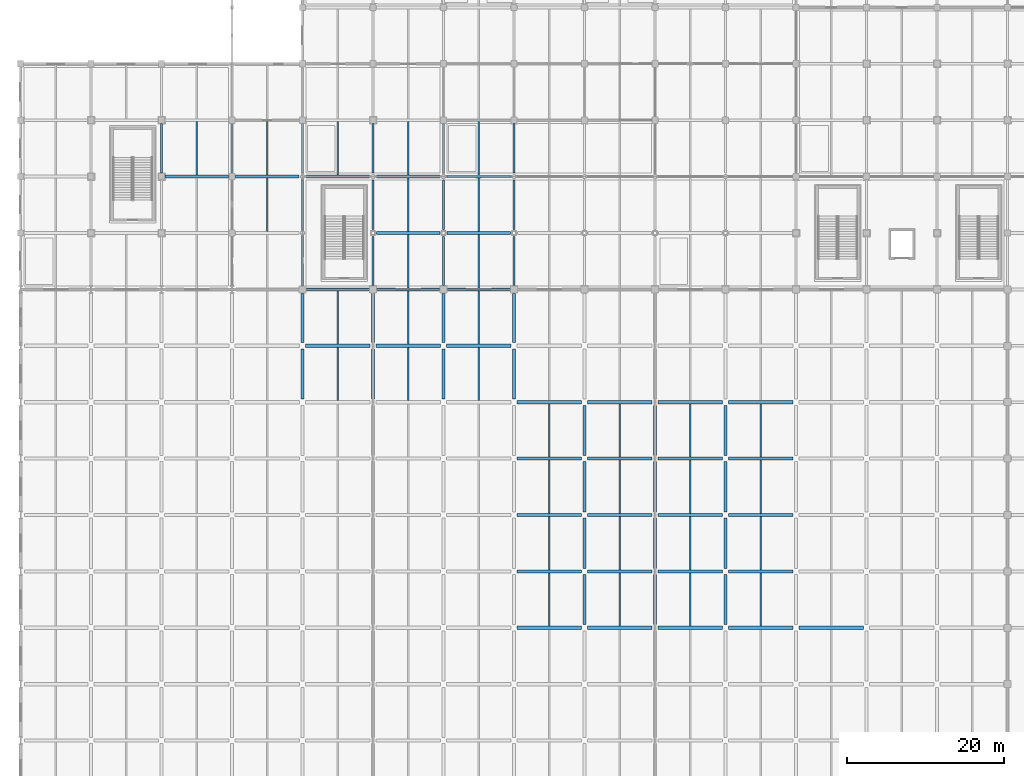
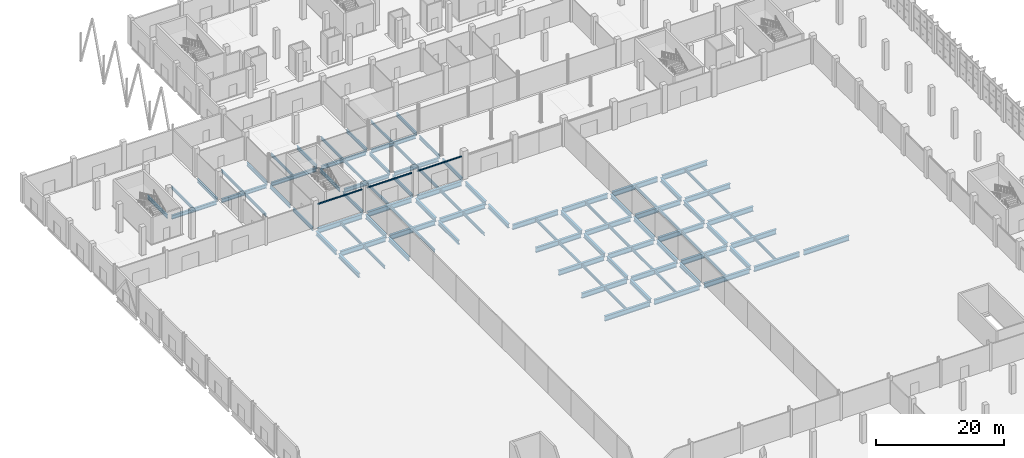
# One storey, part 23 of 137: 103 beams.
"""IFC4 building model written with IfcOpenShell, lengths in metres."""

from ifc_helpers import new_model, si_unit, direction, frame, origin, origin_2d, place, context, subcontext, project, spatial, hollow_rectangle, i_section, extrude, material, material_profile, profile_set, type_object, element, save


model = new_model("IFC4")

# Units and contexts
model_context = context("Model", 3, precision=1e-05, world=origin(), true_north=direction((0.0, 1.0)))
body_context = subcontext(model_context, "Body", "Model", "MODEL_VIEW")
ifc_project = project(units=[si_unit("LENGTHUNIT", "METRE"), si_unit("AREAUNIT", "SQUARE_METRE"), si_unit("VOLUMEUNIT", "CUBIC_METRE"), si_unit("PLANEANGLEUNIT", "RADIAN"), si_unit("MASSUNIT", "GRAM", prefix="KILO")], contexts=[model_context])

# Site, building, storey
site_placement = place(None, origin())
site = spatial("IfcSite", under=ifc_project, at=site_placement, CompositionType="ELEMENT")
building_placement = place(site_placement, origin())
building = spatial("IfcBuilding", under=site, at=building_placement, Name="Celestram Park Convention Centre", CompositionType="ELEMENT")
storey_placement = place(building_placement, origin())
storey = spatial("IfcBuildingStorey", under=building, at=storey_placement, Name="L00", CompositionType="ELEMENT", Elevation=0.0)

# Beams
ifc_material_1 = material(Name="Steel ASTM A992 Grade 50", Category="steel")
ifc_material_profile_1 = material_profile(ifc_material_1, i_section(OverallWidth=0.35595703125, OverallDepth=0.696044921875, WebThickness=0.015380859375, FlangeThickness=0.02490234375, at=origin_2d()), Name="W27X146")
ifc_profile_set_1 = profile_set([ifc_material_profile_1], Name="Steel ASTM A992 Grade 50")
beam_type_1 = type_object("IfcBeamType", Name="STR-BM-W27X146", PredefinedType="BEAM", material=ifc_profile_set_1)
for number, where, z_axis, x_axis, name in (
    (1, (18.447998046875, 122.39990234375, -0.66796875), (1.0, 0.0, 0.0), (0.0, 1.0, 0.0), "Primary X-girder BG-L00-0094"),
    (2, (27.447998046875, 122.39990234375, -0.66796875), (1.0, 0.0, 0.0), (0.0, 1.0, 0.0), "Primary X-girder BG-L00-0126"),
    (3, (36.447998046875, 122.39990234375, -0.66796875), (1.0, 0.0, 0.0), (0.0, 1.0, 0.0), "Primary X-girder BG-L00-0164"),
    (4, (45.447998046875, 115.199951171875, -0.66796875), (1.0, 0.0, 0.0), (0.0, 1.0, 0.0), "Primary X-girder BG-L00-0207"),
    (5, (45.447998046875, 122.39990234375, -0.66796875), (1.0, 0.0, 0.0), (0.0, 1.0, 0.0), "Primary X-girder BG-L00-0209"),
    (6, (54.447998046875, 115.199951171875, -0.66796875), (1.0, 0.0, 0.0), (0.0, 1.0, 0.0), "Primary X-girder BG-L00-0254"),
    (7, (54.447998046875, 122.39990234375, -0.66796875), (1.0, 0.0, 0.0), (0.0, 1.0, 0.0), "Primary X-girder BG-L00-0256"),
):
    element("IfcBeam", number, at=place(storey_placement, frame(where, z_axis=z_axis, x_axis=x_axis)), inside=storey, type_object=beam_type_1, Name=name, PredefinedType="BEAM", context=body_context, shape_type="SweptSolid", body=[
        extrude(i_section(OverallWidth=0.35595703125, OverallDepth=0.696044921875, WebThickness=0.015380859375, FlangeThickness=0.02490234375, at=origin_2d()), origin(), (0.0, 0.0, 1.0), 8.10400390625),
    ])
ifc_material_profile_2 = material_profile(ifc_material_1, i_section(OverallWidth=0.25390625, OverallDepth=0.68310546875, WebThickness=0.012451171875, FlangeThickness=0.01904296875, at=origin_2d()), Name="W27X94")
ifc_profile_set_2 = profile_set([ifc_material_profile_2], Name="Steel ASTM A992 Grade 50")
beam_type_2 = type_object("IfcBeamType", Name="STR-BM-W27X94", PredefinedType="BEAM", material=ifc_profile_set_2)
for number, where, z_axis, x_axis, name in (
    (8, (18.0, 122.847900390625, -0.66162109375), (0.0, 1.0, 0.0), (-1.0, 0.0, 0.0), "Primary Y-girder BG-L00-0095"),
    (9, (27.0, 122.847900390625, -0.66162109375), (0.0, 1.0, 0.0), (-1.0, 0.0, 0.0), "Primary Y-girder BG-L00-0127"),
):
    element("IfcBeam", number, at=place(storey_placement, frame(where, z_axis=z_axis, x_axis=x_axis)), inside=storey, type_object=beam_type_2, Name=name, PredefinedType="BEAM", context=body_context, shape_type="SweptSolid", body=[
        extrude(i_section(OverallWidth=0.25390625, OverallDepth=0.68310546875, WebThickness=0.012451171875, FlangeThickness=0.01904296875, at=origin_2d()), origin(), (0.0, 0.0, 1.0), 6.30419921875),
    ])
beam_1_placement = place(storey_placement, frame((36.0, 108.498046875, -0.66162109375), z_axis=(0.0, 1.0, 0.0), x_axis=(-1.0, 0.0, 0.0)))
element("IfcBeam", 10, at=beam_1_placement, inside=storey, type_object=beam_type_2, Name="Primary Y-girder BG-L00-0162", PredefinedType="BEAM", context=body_context, shape_type="SweptSolid", body=[
    extrude(i_section(OverallWidth=0.25390625, OverallDepth=0.68310546875, WebThickness=0.012451171875, FlangeThickness=0.01904296875, at=origin_2d()), origin(), (0.0, 0.0, 1.0), 6.25390625),
])
beam_2_placement = place(storey_placement, frame((36.0, 115.64794921875, -0.66162109375), z_axis=(0.0, 1.0, 0.0), x_axis=(-1.0, 0.0, 0.0)))
element("IfcBeam", 11, at=beam_2_placement, inside=storey, type_object=beam_type_2, Name="Primary Y-girder BG-L00-0163", PredefinedType="BEAM", context=body_context, shape_type="SweptSolid", body=[
    extrude(i_section(OverallWidth=0.25390625, OverallDepth=0.68310546875, WebThickness=0.012451171875, FlangeThickness=0.01904296875, at=origin_2d()), origin(), (0.0, 0.0, 1.0), 6.303955078125),
])
beam_3_placement = place(storey_placement, frame((36.0, 122.847900390625, -0.66162109375), z_axis=(0.0, 1.0, 0.0), x_axis=(-1.0, 0.0, 0.0)))
element("IfcBeam", 12, at=beam_3_placement, inside=storey, type_object=beam_type_2, Name="Primary Y-girder BG-L00-0165", PredefinedType="BEAM", context=body_context, shape_type="SweptSolid", body=[
    extrude(i_section(OverallWidth=0.25390625, OverallDepth=0.68310546875, WebThickness=0.012451171875, FlangeThickness=0.01904296875, at=origin_2d()), origin(), (0.0, 0.0, 1.0), 6.30419921875),
])
beam_4_placement = place(storey_placement, frame((45.0, 108.498046875, -0.66162109375), z_axis=(0.0, 1.0, 0.0), x_axis=(-1.0, 0.0, 0.0)))
element("IfcBeam", 13, at=beam_4_placement, inside=storey, type_object=beam_type_2, Name="Primary Y-girder BG-L00-0206", PredefinedType="BEAM", context=body_context, shape_type="SweptSolid", body=[
    extrude(i_section(OverallWidth=0.25390625, OverallDepth=0.68310546875, WebThickness=0.012451171875, FlangeThickness=0.01904296875, at=origin_2d()), origin(), (0.0, 0.0, 1.0), 6.25390625),
])
beam_5_placement = place(storey_placement, frame((45.0, 115.64794921875, -0.66162109375), z_axis=(0.0, 1.0, 0.0), x_axis=(-1.0, 0.0, 0.0)))
element("IfcBeam", 14, at=beam_5_placement, inside=storey, type_object=beam_type_2, Name="Primary Y-girder BG-L00-0208", PredefinedType="BEAM", context=body_context, shape_type="SweptSolid", body=[
    extrude(i_section(OverallWidth=0.25390625, OverallDepth=0.68310546875, WebThickness=0.012451171875, FlangeThickness=0.01904296875, at=origin_2d()), origin(), (0.0, 0.0, 1.0), 6.303955078125),
])
beam_6_placement = place(storey_placement, frame((45.0, 122.847900390625, -0.66162109375), z_axis=(0.0, 1.0, 0.0), x_axis=(-1.0, 0.0, 0.0)))
element("IfcBeam", 15, at=beam_6_placement, inside=storey, type_object=beam_type_2, Name="Primary Y-girder BG-L00-0210", PredefinedType="BEAM", context=body_context, shape_type="SweptSolid", body=[
    extrude(i_section(OverallWidth=0.25390625, OverallDepth=0.68310546875, WebThickness=0.012451171875, FlangeThickness=0.01904296875, at=origin_2d()), origin(), (0.0, 0.0, 1.0), 6.30419921875),
])
beam_7_placement = place(storey_placement, frame((54.0, 108.498046875, -0.66162109375), z_axis=(0.0, 1.0, 0.0), x_axis=(-1.0, 0.0, 0.0)))
element("IfcBeam", 16, at=beam_7_placement, inside=storey, type_object=beam_type_2, Name="Primary Y-girder BG-L00-0253", PredefinedType="BEAM", context=body_context, shape_type="SweptSolid", body=[
    extrude(i_section(OverallWidth=0.25390625, OverallDepth=0.68310546875, WebThickness=0.012451171875, FlangeThickness=0.01904296875, at=origin_2d()), origin(), (0.0, 0.0, 1.0), 6.25390625),
])
beam_8_placement = place(storey_placement, frame((54.0, 115.64794921875, -0.66162109375), z_axis=(0.0, 1.0, 0.0), x_axis=(-1.0, 0.0, 0.0)))
element("IfcBeam", 17, at=beam_8_placement, inside=storey, type_object=beam_type_2, Name="Primary Y-girder BG-L00-0255", PredefinedType="BEAM", context=body_context, shape_type="SweptSolid", body=[
    extrude(i_section(OverallWidth=0.25390625, OverallDepth=0.68310546875, WebThickness=0.012451171875, FlangeThickness=0.01904296875, at=origin_2d()), origin(), (0.0, 0.0, 1.0), 6.303955078125),
])
beam_9_placement = place(storey_placement, frame((54.0, 122.847900390625, -0.66162109375), z_axis=(0.0, 1.0, 0.0), x_axis=(-1.0, 0.0, 0.0)))
element("IfcBeam", 18, at=beam_9_placement, inside=storey, type_object=beam_type_2, Name="Primary Y-girder BG-L00-0257", PredefinedType="BEAM", context=body_context, shape_type="SweptSolid", body=[
    extrude(i_section(OverallWidth=0.25390625, OverallDepth=0.68310546875, WebThickness=0.012451171875, FlangeThickness=0.01904296875, at=origin_2d()), origin(), (0.0, 0.0, 1.0), 6.30419921875),
])
beam_10_placement = place(storey_placement, frame((63.0, 108.498046875, -0.66162109375), z_axis=(0.0, 1.0, 0.0), x_axis=(-1.0, 0.0, 0.0)))
element("IfcBeam", 19, at=beam_10_placement, inside=storey, type_object=beam_type_2, Name="Primary Y-girder BG-L00-0300", PredefinedType="BEAM", context=body_context, shape_type="SweptSolid", body=[
    extrude(i_section(OverallWidth=0.25390625, OverallDepth=0.68310546875, WebThickness=0.012451171875, FlangeThickness=0.01904296875, at=origin_2d()), origin(), (0.0, 0.0, 1.0), 6.25390625),
])
beam_11_placement = place(storey_placement, frame((63.0, 115.64794921875, -0.66162109375), z_axis=(0.0, 1.0, 0.0), x_axis=(-1.0, 0.0, 0.0)))
element("IfcBeam", 20, at=beam_11_placement, inside=storey, type_object=beam_type_2, Name="Primary Y-girder BG-L00-0302", PredefinedType="BEAM", context=body_context, shape_type="SweptSolid", body=[
    extrude(i_section(OverallWidth=0.25390625, OverallDepth=0.68310546875, WebThickness=0.012451171875, FlangeThickness=0.01904296875, at=origin_2d()), origin(), (0.0, 0.0, 1.0), 6.303955078125),
])
beam_12_placement = place(storey_placement, frame((63.0, 122.847900390625, -0.66162109375), z_axis=(0.0, 1.0, 0.0), x_axis=(-1.0, 0.0, 0.0)))
element("IfcBeam", 21, at=beam_12_placement, inside=storey, type_object=beam_type_2, Name="Primary Y-girder BG-L00-0304", PredefinedType="BEAM", context=body_context, shape_type="SweptSolid", body=[
    extrude(i_section(OverallWidth=0.25390625, OverallDepth=0.68310546875, WebThickness=0.012451171875, FlangeThickness=0.01904296875, at=origin_2d()), origin(), (0.0, 0.0, 1.0), 6.30419921875),
])
ifc_material_profile_3 = material_profile(ifc_material_1, i_section(OverallWidth=0.381103515625, OverallDepth=0.77197265625, WebThickness=0.0166015625, FlangeThickness=0.027099609375, at=origin_2d()), Name="W30X173")
ifc_profile_set_3 = profile_set([ifc_material_profile_3], Name="Steel ASTM A992 Grade 50")
beam_type_3 = type_object("IfcBeamType", Name="STR-BM-W30X173", PredefinedType="BEAM", material=ifc_profile_set_3)
beam_13_placement = place(storey_placement, frame((36.0, 93.998046875, -0.74609375), z_axis=(0.0, 1.0, 0.0), x_axis=(-1.0, 0.0, 0.0)))
element("IfcBeam", 22, at=beam_13_placement, inside=storey, type_object=beam_type_3, Name="Primary Y-girder BG-L00-0158", PredefinedType="BEAM", context=body_context, shape_type="SweptSolid", body=[
    extrude(i_section(OverallWidth=0.381103515625, OverallDepth=0.77197265625, WebThickness=0.0166015625, FlangeThickness=0.027099609375, at=origin_2d()), origin(), (0.0, 0.0, 1.0), 6.404052734375),
])
beam_14_placement = place(storey_placement, frame((36.0, 101.197998046875, -0.74609375), z_axis=(0.0, 1.0, 0.0), x_axis=(-1.0, 0.0, 0.0)))
element("IfcBeam", 23, at=beam_14_placement, inside=storey, type_object=beam_type_3, Name="Primary Y-girder BG-L00-0160", PredefinedType="BEAM", context=body_context, shape_type="SweptSolid", body=[
    extrude(i_section(OverallWidth=0.381103515625, OverallDepth=0.77197265625, WebThickness=0.0166015625, FlangeThickness=0.027099609375, at=origin_2d()), origin(), (0.0, 0.0, 1.0), 6.303955078125),
])
beam_15_placement = place(storey_placement, frame((45.0, 93.998046875, -0.74609375), z_axis=(0.0, 1.0, 0.0), x_axis=(-1.0, 0.0, 0.0)))
element("IfcBeam", 24, at=beam_15_placement, inside=storey, type_object=beam_type_3, Name="Primary Y-girder BG-L00-0202", PredefinedType="BEAM", context=body_context, shape_type="SweptSolid", body=[
    extrude(i_section(OverallWidth=0.381103515625, OverallDepth=0.77197265625, WebThickness=0.0166015625, FlangeThickness=0.027099609375, at=origin_2d()), origin(), (0.0, 0.0, 1.0), 6.404052734375),
])
beam_16_placement = place(storey_placement, frame((45.0, 101.197998046875, -0.74609375), z_axis=(0.0, 1.0, 0.0), x_axis=(-1.0, 0.0, 0.0)))
element("IfcBeam", 25, at=beam_16_placement, inside=storey, type_object=beam_type_3, Name="Primary Y-girder BG-L00-0204", PredefinedType="BEAM", context=body_context, shape_type="SweptSolid", body=[
    extrude(i_section(OverallWidth=0.381103515625, OverallDepth=0.77197265625, WebThickness=0.0166015625, FlangeThickness=0.027099609375, at=origin_2d()), origin(), (0.0, 0.0, 1.0), 6.303955078125),
])
beam_17_placement = place(storey_placement, frame((54.0, 93.998046875, -0.74609375), z_axis=(0.0, 1.0, 0.0), x_axis=(-1.0, 0.0, 0.0)))
element("IfcBeam", 26, at=beam_17_placement, inside=storey, type_object=beam_type_3, Name="Primary Y-girder BG-L00-0249", PredefinedType="BEAM", context=body_context, shape_type="SweptSolid", body=[
    extrude(i_section(OverallWidth=0.381103515625, OverallDepth=0.77197265625, WebThickness=0.0166015625, FlangeThickness=0.027099609375, at=origin_2d()), origin(), (0.0, 0.0, 1.0), 6.404052734375),
])
beam_18_placement = place(storey_placement, frame((54.0, 101.197998046875, -0.74609375), z_axis=(0.0, 1.0, 0.0), x_axis=(-1.0, 0.0, 0.0)))
element("IfcBeam", 27, at=beam_18_placement, inside=storey, type_object=beam_type_3, Name="Primary Y-girder BG-L00-0251", PredefinedType="BEAM", context=body_context, shape_type="SweptSolid", body=[
    extrude(i_section(OverallWidth=0.381103515625, OverallDepth=0.77197265625, WebThickness=0.0166015625, FlangeThickness=0.027099609375, at=origin_2d()), origin(), (0.0, 0.0, 1.0), 6.303955078125),
])
beam_19_placement = place(storey_placement, frame((63.0, 93.998046875, -0.74609375), z_axis=(0.0, 1.0, 0.0), x_axis=(-1.0, 0.0, 0.0)))
element("IfcBeam", 28, at=beam_19_placement, inside=storey, type_object=beam_type_3, Name="Primary Y-girder BG-L00-0296", PredefinedType="BEAM", context=body_context, shape_type="SweptSolid", body=[
    extrude(i_section(OverallWidth=0.381103515625, OverallDepth=0.77197265625, WebThickness=0.0166015625, FlangeThickness=0.027099609375, at=origin_2d()), origin(), (0.0, 0.0, 1.0), 6.404052734375),
])
beam_20_placement = place(storey_placement, frame((63.0, 101.197998046875, -0.74609375), z_axis=(0.0, 1.0, 0.0), x_axis=(-1.0, 0.0, 0.0)))
element("IfcBeam", 29, at=beam_20_placement, inside=storey, type_object=beam_type_3, Name="Primary Y-girder BG-L00-0298", PredefinedType="BEAM", context=body_context, shape_type="SweptSolid", body=[
    extrude(i_section(OverallWidth=0.381103515625, OverallDepth=0.77197265625, WebThickness=0.0166015625, FlangeThickness=0.027099609375, at=origin_2d()), origin(), (0.0, 0.0, 1.0), 6.303955078125),
])
for number, where, z_axis, x_axis, name in (
    (30, (72.0, 65.197998046875, -0.74609375), (0.0, 1.0, 0.0), (-1.0, 0.0, 0.0), "Primary Y-girder BG-L00-0333"),
    (31, (72.0, 72.39794921875, -0.74609375), (0.0, 1.0, 0.0), (-1.0, 0.0, 0.0), "Primary Y-girder BG-L00-0335"),
    (32, (72.0, 79.597900390625, -0.74609375), (0.0, 1.0, 0.0), (-1.0, 0.0, 0.0), "Primary Y-girder BG-L00-0337"),
):
    element("IfcBeam", number, at=place(storey_placement, frame(where, z_axis=z_axis, x_axis=x_axis)), inside=storey, type_object=beam_type_3, Name=name, PredefinedType="BEAM", context=body_context, shape_type="SweptSolid", body=[
        extrude(i_section(OverallWidth=0.381103515625, OverallDepth=0.77197265625, WebThickness=0.0166015625, FlangeThickness=0.027099609375, at=origin_2d()), origin(), (0.0, 0.0, 1.0), 6.404052734375),
    ])
beam_21_placement = place(storey_placement, frame((72.0, 86.798095703125, -0.74609375), z_axis=(0.0, 1.0, 0.0), x_axis=(-1.0, 0.0, 0.0)))
element("IfcBeam", 33, at=beam_21_placement, inside=storey, type_object=beam_type_3, Name="Primary Y-girder BG-L00-0339", PredefinedType="BEAM", context=body_context, shape_type="SweptSolid", body=[
    extrude(i_section(OverallWidth=0.381103515625, OverallDepth=0.77197265625, WebThickness=0.0166015625, FlangeThickness=0.027099609375, at=origin_2d()), origin(), (0.0, 0.0, 1.0), 6.40380859375),
])
for number, where, z_axis, x_axis, name in (
    (34, (81.0, 65.197998046875, -0.74609375), (0.0, 1.0, 0.0), (-1.0, 0.0, 0.0), "Primary Y-girder BG-L00-0380"),
    (35, (81.0, 72.39794921875, -0.74609375), (0.0, 1.0, 0.0), (-1.0, 0.0, 0.0), "Primary Y-girder BG-L00-0382"),
    (36, (81.0, 79.597900390625, -0.74609375), (0.0, 1.0, 0.0), (-1.0, 0.0, 0.0), "Primary Y-girder BG-L00-0384"),
):
    element("IfcBeam", number, at=place(storey_placement, frame(where, z_axis=z_axis, x_axis=x_axis)), inside=storey, type_object=beam_type_3, Name=name, PredefinedType="BEAM", context=body_context, shape_type="SweptSolid", body=[
        extrude(i_section(OverallWidth=0.381103515625, OverallDepth=0.77197265625, WebThickness=0.0166015625, FlangeThickness=0.027099609375, at=origin_2d()), origin(), (0.0, 0.0, 1.0), 6.404052734375),
    ])
beam_22_placement = place(storey_placement, frame((81.0, 86.798095703125, -0.74609375), z_axis=(0.0, 1.0, 0.0), x_axis=(-1.0, 0.0, 0.0)))
element("IfcBeam", 37, at=beam_22_placement, inside=storey, type_object=beam_type_3, Name="Primary Y-girder BG-L00-0386", PredefinedType="BEAM", context=body_context, shape_type="SweptSolid", body=[
    extrude(i_section(OverallWidth=0.381103515625, OverallDepth=0.77197265625, WebThickness=0.0166015625, FlangeThickness=0.027099609375, at=origin_2d()), origin(), (0.0, 0.0, 1.0), 6.40380859375),
])
for number, where, z_axis, x_axis, name in (
    (38, (90.0, 65.197998046875, -0.74609375), (0.0, 1.0, 0.0), (-1.0, 0.0, 0.0), "Primary Y-girder BG-L00-0425"),
    (39, (90.0, 72.39794921875, -0.74609375), (0.0, 1.0, 0.0), (-1.0, 0.0, 0.0), "Primary Y-girder BG-L00-0427"),
    (40, (90.0, 79.597900390625, -0.74609375), (0.0, 1.0, 0.0), (-1.0, 0.0, 0.0), "Primary Y-girder BG-L00-0429"),
):
    element("IfcBeam", number, at=place(storey_placement, frame(where, z_axis=z_axis, x_axis=x_axis)), inside=storey, type_object=beam_type_3, Name=name, PredefinedType="BEAM", context=body_context, shape_type="SweptSolid", body=[
        extrude(i_section(OverallWidth=0.381103515625, OverallDepth=0.77197265625, WebThickness=0.0166015625, FlangeThickness=0.027099609375, at=origin_2d()), origin(), (0.0, 0.0, 1.0), 6.404052734375),
    ])
beam_23_placement = place(storey_placement, frame((90.0, 86.798095703125, -0.74609375), z_axis=(0.0, 1.0, 0.0), x_axis=(-1.0, 0.0, 0.0)))
element("IfcBeam", 41, at=beam_23_placement, inside=storey, type_object=beam_type_3, Name="Primary Y-girder BG-L00-0431", PredefinedType="BEAM", context=body_context, shape_type="SweptSolid", body=[
    extrude(i_section(OverallWidth=0.381103515625, OverallDepth=0.77197265625, WebThickness=0.0166015625, FlangeThickness=0.027099609375, at=origin_2d()), origin(), (0.0, 0.0, 1.0), 6.40380859375),
])
ifc_material_profile_4 = material_profile(ifc_material_1, i_section(OverallWidth=0.4189453125, OverallDepth=0.927001953125, WebThickness=0.019287109375, FlangeThickness=0.031982421875, at=origin_2d()), Name="W36X231")
ifc_profile_set_4 = profile_set([ifc_material_profile_4], Name="Steel ASTM A992 Grade 50")
beam_type_4 = type_object("IfcBeamType", Name="STR-BM-W36X231", PredefinedType="BEAM", material=ifc_profile_set_4)
beam_24_placement = place(storey_placement, frame((36.39794921875, 100.800048828125, -0.823486328125), z_axis=(1.0, 0.0, 0.0), x_axis=(0.0, 1.0, 0.0)))
element("IfcBeam", 42, at=beam_24_placement, inside=storey, type_object=beam_type_4, Name="Primary X-girder BG-L00-0159", PredefinedType="BEAM", context=body_context, shape_type="SweptSolid", body=[
    extrude(i_section(OverallWidth=0.4189453125, OverallDepth=0.927001953125, WebThickness=0.019287109375, FlangeThickness=0.031982421875, at=origin_2d()), origin(), (0.0, 0.0, 1.0), 8.2041015625),
])
beam_25_placement = place(storey_placement, frame((36.498046875, 108.0, -0.823486328125), z_axis=(1.0, 0.0, 0.0), x_axis=(0.0, 1.0, 0.0)))
element("IfcBeam", 43, at=beam_25_placement, inside=storey, type_object=beam_type_4, Name="Primary X-girder BG-L00-0161", PredefinedType="BEAM", context=body_context, shape_type="SweptSolid", body=[
    extrude(i_section(OverallWidth=0.4189453125, OverallDepth=0.927001953125, WebThickness=0.019287109375, FlangeThickness=0.031982421875, at=origin_2d()), origin(), (0.0, 0.0, 1.0), 8.00390625),
])
beam_26_placement = place(storey_placement, frame((45.39794921875, 100.800048828125, -0.823486328125), z_axis=(1.0, 0.0, 0.0), x_axis=(0.0, 1.0, 0.0)))
element("IfcBeam", 44, at=beam_26_placement, inside=storey, type_object=beam_type_4, Name="Primary X-girder BG-L00-0203", PredefinedType="BEAM", context=body_context, shape_type="SweptSolid", body=[
    extrude(i_section(OverallWidth=0.4189453125, OverallDepth=0.927001953125, WebThickness=0.019287109375, FlangeThickness=0.031982421875, at=origin_2d()), origin(), (0.0, 0.0, 1.0), 8.2041015625),
])
beam_27_placement = place(storey_placement, frame((45.498046875, 108.0, -0.823486328125), z_axis=(1.0, 0.0, 0.0), x_axis=(0.0, 1.0, 0.0)))
element("IfcBeam", 45, at=beam_27_placement, inside=storey, type_object=beam_type_4, Name="Primary X-girder BG-L00-0205", PredefinedType="BEAM", context=body_context, shape_type="SweptSolid", body=[
    extrude(i_section(OverallWidth=0.4189453125, OverallDepth=0.927001953125, WebThickness=0.019287109375, FlangeThickness=0.031982421875, at=origin_2d()), origin(), (0.0, 0.0, 1.0), 8.00390625),
])
beam_28_placement = place(storey_placement, frame((54.39794921875, 100.800048828125, -0.823486328125), z_axis=(1.0, 0.0, 0.0), x_axis=(0.0, 1.0, 0.0)))
element("IfcBeam", 46, at=beam_28_placement, inside=storey, type_object=beam_type_4, Name="Primary X-girder BG-L00-0250", PredefinedType="BEAM", context=body_context, shape_type="SweptSolid", body=[
    extrude(i_section(OverallWidth=0.4189453125, OverallDepth=0.927001953125, WebThickness=0.019287109375, FlangeThickness=0.031982421875, at=origin_2d()), origin(), (0.0, 0.0, 1.0), 8.2041015625),
])
beam_29_placement = place(storey_placement, frame((54.498046875, 108.0, -0.823486328125), z_axis=(1.0, 0.0, 0.0), x_axis=(0.0, 1.0, 0.0)))
element("IfcBeam", 47, at=beam_29_placement, inside=storey, type_object=beam_type_4, Name="Primary X-girder BG-L00-0252", PredefinedType="BEAM", context=body_context, shape_type="SweptSolid", body=[
    extrude(i_section(OverallWidth=0.4189453125, OverallDepth=0.927001953125, WebThickness=0.019287109375, FlangeThickness=0.031982421875, at=origin_2d()), origin(), (0.0, 0.0, 1.0), 8.00390625),
])
for number, where, z_axis, x_axis, name in (
    (48, (63.39794921875, 64.800048828125, -0.823486328125), (1.0, 0.0, 0.0), (0.0, 1.0, 0.0), "Primary X-girder BG-L00-0287"),
    (49, (63.39794921875, 72.0, -0.823486328125), (1.0, 0.0, 0.0), (0.0, 1.0, 0.0), "Primary X-girder BG-L00-0289"),
    (50, (63.39794921875, 79.199951171875, -0.823486328125), (1.0, 0.0, 0.0), (0.0, 1.0, 0.0), "Primary X-girder BG-L00-0291"),
    (51, (63.39794921875, 86.39990234375, -0.823486328125), (1.0, 0.0, 0.0), (0.0, 1.0, 0.0), "Primary X-girder BG-L00-0293"),
    (52, (63.39794921875, 93.60009765625, -0.823486328125), (1.0, 0.0, 0.0), (0.0, 1.0, 0.0), "Primary X-girder BG-L00-0295"),
    (53, (72.39794921875, 64.800048828125, -0.823486328125), (1.0, 0.0, 0.0), (0.0, 1.0, 0.0), "Primary X-girder BG-L00-0332"),
    (54, (72.39794921875, 72.0, -0.823486328125), (1.0, 0.0, 0.0), (0.0, 1.0, 0.0), "Primary X-girder BG-L00-0334"),
    (55, (72.39794921875, 79.199951171875, -0.823486328125), (1.0, 0.0, 0.0), (0.0, 1.0, 0.0), "Primary X-girder BG-L00-0336"),
    (56, (72.39794921875, 86.39990234375, -0.823486328125), (1.0, 0.0, 0.0), (0.0, 1.0, 0.0), "Primary X-girder BG-L00-0338"),
    (57, (72.39794921875, 93.60009765625, -0.823486328125), (1.0, 0.0, 0.0), (0.0, 1.0, 0.0), "Primary X-girder BG-L00-0340"),
    (58, (81.39794921875, 64.800048828125, -0.823486328125), (1.0, 0.0, 0.0), (0.0, 1.0, 0.0), "Primary X-girder BG-L00-0379"),
    (59, (81.39794921875, 72.0, -0.823486328125), (1.0, 0.0, 0.0), (0.0, 1.0, 0.0), "Primary X-girder BG-L00-0381"),
    (60, (81.39794921875, 79.199951171875, -0.823486328125), (1.0, 0.0, 0.0), (0.0, 1.0, 0.0), "Primary X-girder BG-L00-0383"),
    (61, (81.39794921875, 86.39990234375, -0.823486328125), (1.0, 0.0, 0.0), (0.0, 1.0, 0.0), "Primary X-girder BG-L00-0385"),
    (62, (81.39794921875, 93.60009765625, -0.823486328125), (1.0, 0.0, 0.0), (0.0, 1.0, 0.0), "Primary X-girder BG-L00-0387"),
    (63, (90.39794921875, 64.800048828125, -0.823486328125), (1.0, 0.0, 0.0), (0.0, 1.0, 0.0), "Primary X-girder BG-L00-0424"),
    (64, (90.39794921875, 72.0, -0.823486328125), (1.0, 0.0, 0.0), (0.0, 1.0, 0.0), "Primary X-girder BG-L00-0426"),
    (65, (90.39794921875, 79.199951171875, -0.823486328125), (1.0, 0.0, 0.0), (0.0, 1.0, 0.0), "Primary X-girder BG-L00-0428"),
    (66, (90.39794921875, 86.39990234375, -0.823486328125), (1.0, 0.0, 0.0), (0.0, 1.0, 0.0), "Primary X-girder BG-L00-0430"),
    (67, (90.39794921875, 93.60009765625, -0.823486328125), (1.0, 0.0, 0.0), (0.0, 1.0, 0.0), "Primary X-girder BG-L00-0432"),
    (68, (99.39794921875, 64.800048828125, -0.823486328125), (1.0, 0.0, 0.0), (0.0, 1.0, 0.0), "Primary X-girder BG-L00-0469"),
):
    element("IfcBeam", number, at=place(storey_placement, frame(where, z_axis=z_axis, x_axis=x_axis)), inside=storey, type_object=beam_type_4, Name=name, PredefinedType="BEAM", context=body_context, shape_type="SweptSolid", body=[
        extrude(i_section(OverallWidth=0.4189453125, OverallDepth=0.927001953125, WebThickness=0.019287109375, FlangeThickness=0.031982421875, at=origin_2d()), origin(), (0.0, 0.0, 1.0), 8.2041015625),
    ])
ifc_material_profile_5 = material_profile(ifc_material_1, i_section(OverallWidth=0.2099609375, OverallDepth=0.532958984375, WebThickness=0.01025390625, FlangeThickness=0.015625, at=origin_2d()), Name="W21X62")
ifc_profile_set_5 = profile_set([ifc_material_profile_5], Name="Steel ASTM A992 Grade 50")
beam_type_5 = type_object("IfcBeamType", Name="STR-JST-W21X62", PredefinedType="JOIST", material=ifc_profile_set_5)
for number, where, z_axis, x_axis, name in (
    (69, (22.5, 122.573974609375, -0.58642578125), (0.0, 1.0, 0.0), (-1.0, 0.0, 0.0), "Secondary composite joist BG-L00-0924"),
    (70, (31.5, 115.3740234375, -0.58642578125), (0.0, 1.0, 0.0), (-1.0, 0.0, 0.0), "Secondary composite joist BG-L00-0937"),
    (71, (31.5, 122.573974609375, -0.58642578125), (0.0, 1.0, 0.0), (-1.0, 0.0, 0.0), "Secondary composite joist BG-L00-0938"),
    (72, (40.5, 122.573974609375, -0.58642578125), (0.0, 1.0, 0.0), (-1.0, 0.0, 0.0), "Secondary composite joist BG-L00-0955"),
):
    element("IfcBeam", number, at=place(storey_placement, frame(where, z_axis=z_axis, x_axis=x_axis)), inside=storey, type_object=beam_type_5, Name=name, PredefinedType="JOIST", context=body_context, shape_type="SweptSolid", body=[
        extrude(i_section(OverallWidth=0.2099609375, OverallDepth=0.532958984375, WebThickness=0.01025390625, FlangeThickness=0.015625, at=origin_2d()), origin(), (0.0, 0.0, 1.0), 6.85205078125),
    ])
beam_30_placement = place(storey_placement, frame((49.5, 108.205078125, -0.58642578125), z_axis=(0.0, 1.0, 0.0), x_axis=(-1.0, 0.0, 0.0)))
element("IfcBeam", 73, at=beam_30_placement, inside=storey, type_object=beam_type_5, Name="Secondary composite joist BG-L00-0973", PredefinedType="JOIST", context=body_context, shape_type="SweptSolid", body=[
    extrude(i_section(OverallWidth=0.2099609375, OverallDepth=0.532958984375, WebThickness=0.01025390625, FlangeThickness=0.015625, at=origin_2d()), origin(), (0.0, 0.0, 1.0), 6.82080078125),
])
for number, where, z_axis, x_axis, name in (
    (74, (49.5, 115.3740234375, -0.58642578125), (0.0, 1.0, 0.0), (-1.0, 0.0, 0.0), "Secondary composite joist BG-L00-0974"),
    (75, (49.5, 122.573974609375, -0.58642578125), (0.0, 1.0, 0.0), (-1.0, 0.0, 0.0), "Secondary composite joist BG-L00-0975"),
):
    element("IfcBeam", number, at=place(storey_placement, frame(where, z_axis=z_axis, x_axis=x_axis)), inside=storey, type_object=beam_type_5, Name=name, PredefinedType="JOIST", context=body_context, shape_type="SweptSolid", body=[
        extrude(i_section(OverallWidth=0.2099609375, OverallDepth=0.532958984375, WebThickness=0.01025390625, FlangeThickness=0.015625, at=origin_2d()), origin(), (0.0, 0.0, 1.0), 6.85205078125),
    ])
beam_31_placement = place(storey_placement, frame((58.5, 108.205078125, -0.58642578125), z_axis=(0.0, 1.0, 0.0), x_axis=(-1.0, 0.0, 0.0)))
element("IfcBeam", 76, at=beam_31_placement, inside=storey, type_object=beam_type_5, Name="Secondary composite joist BG-L00-0995", PredefinedType="JOIST", context=body_context, shape_type="SweptSolid", body=[
    extrude(i_section(OverallWidth=0.2099609375, OverallDepth=0.532958984375, WebThickness=0.01025390625, FlangeThickness=0.015625, at=origin_2d()), origin(), (0.0, 0.0, 1.0), 6.82080078125),
])
for number, where, z_axis, x_axis, name in (
    (77, (58.5, 115.3740234375, -0.58642578125), (0.0, 1.0, 0.0), (-1.0, 0.0, 0.0), "Secondary composite joist BG-L00-0996"),
    (78, (58.5, 122.573974609375, -0.58642578125), (0.0, 1.0, 0.0), (-1.0, 0.0, 0.0), "Secondary composite joist BG-L00-0997"),
):
    element("IfcBeam", number, at=place(storey_placement, frame(where, z_axis=z_axis, x_axis=x_axis)), inside=storey, type_object=beam_type_5, Name=name, PredefinedType="JOIST", context=body_context, shape_type="SweptSolid", body=[
        extrude(i_section(OverallWidth=0.2099609375, OverallDepth=0.532958984375, WebThickness=0.01025390625, FlangeThickness=0.015625, at=origin_2d()), origin(), (0.0, 0.0, 1.0), 6.85205078125),
    ])
ifc_material_profile_6 = material_profile(ifc_material_1, i_section(OverallWidth=0.214111328125, OverallDepth=0.549072265625, WebThickness=0.0146484375, FlangeThickness=0.023681640625, at=origin_2d()), Name="W21X93")
ifc_profile_set_6 = profile_set([ifc_material_profile_6], Name="Steel ASTM A992 Grade 50")
beam_type_6 = type_object("IfcBeamType", Name="STR-JST-W21X93", PredefinedType="JOIST", material=ifc_profile_set_6)
for number, where, z_axis, x_axis, name in (
    (79, (40.5, 93.804931640625, -0.634521484375), (0.0, 1.0, 0.0), (-1.0, 0.0, 0.0), "Secondary composite joist BG-L00-0953"),
    (80, (40.5, 101.0048828125, -0.634521484375), (0.0, 1.0, 0.0), (-1.0, 0.0, 0.0), "Secondary composite joist BG-L00-0954"),
    (81, (49.5, 93.804931640625, -0.634521484375), (0.0, 1.0, 0.0), (-1.0, 0.0, 0.0), "Secondary composite joist BG-L00-0971"),
    (82, (49.5, 101.0048828125, -0.634521484375), (0.0, 1.0, 0.0), (-1.0, 0.0, 0.0), "Secondary composite joist BG-L00-0972"),
    (83, (58.5, 93.804931640625, -0.634521484375), (0.0, 1.0, 0.0), (-1.0, 0.0, 0.0), "Secondary composite joist BG-L00-0993"),
    (84, (58.5, 101.0048828125, -0.634521484375), (0.0, 1.0, 0.0), (-1.0, 0.0, 0.0), "Secondary composite joist BG-L00-0994"),
    (85, (67.5, 65.0048828125, -0.634521484375), (0.0, 1.0, 0.0), (-1.0, 0.0, 0.0), "Secondary composite joist BG-L00-1012"),
    (86, (67.5, 72.205078125, -0.634521484375), (0.0, 1.0, 0.0), (-1.0, 0.0, 0.0), "Secondary composite joist BG-L00-1013"),
    (87, (67.5, 79.405029296875, -0.634521484375), (0.0, 1.0, 0.0), (-1.0, 0.0, 0.0), "Secondary composite joist BG-L00-1014"),
    (88, (67.5, 86.60498046875, -0.634521484375), (0.0, 1.0, 0.0), (-1.0, 0.0, 0.0), "Secondary composite joist BG-L00-1015"),
    (89, (76.5, 65.0048828125, -0.634521484375), (0.0, 1.0, 0.0), (-1.0, 0.0, 0.0), "Secondary composite joist BG-L00-1032"),
    (90, (76.5, 72.205078125, -0.634521484375), (0.0, 1.0, 0.0), (-1.0, 0.0, 0.0), "Secondary composite joist BG-L00-1033"),
    (91, (76.5, 79.405029296875, -0.634521484375), (0.0, 1.0, 0.0), (-1.0, 0.0, 0.0), "Secondary composite joist BG-L00-1034"),
    (92, (76.5, 86.60498046875, -0.634521484375), (0.0, 1.0, 0.0), (-1.0, 0.0, 0.0), "Secondary composite joist BG-L00-1035"),
    (93, (85.5, 65.0048828125, -0.634521484375), (0.0, 1.0, 0.0), (-1.0, 0.0, 0.0), "Secondary composite joist BG-L00-1055"),
    (94, (85.5, 72.205078125, -0.634521484375), (0.0, 1.0, 0.0), (-1.0, 0.0, 0.0), "Secondary composite joist BG-L00-1056"),
    (95, (85.5, 79.405029296875, -0.634521484375), (0.0, 1.0, 0.0), (-1.0, 0.0, 0.0), "Secondary composite joist BG-L00-1057"),
    (96, (85.5, 86.60498046875, -0.634521484375), (0.0, 1.0, 0.0), (-1.0, 0.0, 0.0), "Secondary composite joist BG-L00-1058"),
    (97, (94.5, 65.0048828125, -0.634521484375), (0.0, 1.0, 0.0), (-1.0, 0.0, 0.0), "Secondary composite joist BG-L00-1075"),
    (98, (94.5, 72.205078125, -0.634521484375), (0.0, 1.0, 0.0), (-1.0, 0.0, 0.0), "Secondary composite joist BG-L00-1076"),
    (99, (94.5, 79.405029296875, -0.634521484375), (0.0, 1.0, 0.0), (-1.0, 0.0, 0.0), "Secondary composite joist BG-L00-1077"),
    (100, (94.5, 86.60498046875, -0.634521484375), (0.0, 1.0, 0.0), (-1.0, 0.0, 0.0), "Secondary composite joist BG-L00-1078"),
):
    element("IfcBeam", number, at=place(storey_placement, frame(where, z_axis=z_axis, x_axis=x_axis)), inside=storey, type_object=beam_type_6, Name=name, PredefinedType="JOIST", context=body_context, shape_type="SweptSolid", body=[
        extrude(i_section(OverallWidth=0.214111328125, OverallDepth=0.549072265625, WebThickness=0.0146484375, FlangeThickness=0.023681640625, at=origin_2d()), origin(), (0.0, 0.0, 1.0), 6.7900390625),
    ])
ifc_material_2 = material(Name="Steel ASTM A500 Grade C", Category="steel")
ifc_material_profile_7 = material_profile(ifc_material_2, hollow_rectangle(XDim=0.199951171875, YDim=0.199951171875, WallThickness=0.010009765625, at=origin_2d()), Name="HSS200X200X10")
ifc_profile_set_7 = profile_set([ifc_material_profile_7], Name="Steel ASTM A500 Grade C")
beam_type_7 = type_object("IfcBeamType", Name="STR-LNT-HSS200", PredefinedType="LINTEL", material=ifc_profile_set_7)
for number, where, z_axis, x_axis, name in (
    (101, (36.447998046875, 108.0, 4.25), (1.0, 0.0, 0.0), (0.0, 1.0, 0.0), "Exposition portal lintel BG-L00-1253"),
    (102, (45.447998046875, 108.0, 4.25), (1.0, 0.0, 0.0), (0.0, 1.0, 0.0), "Exposition portal lintel BG-L00-1254"),
    (103, (54.447998046875, 108.0, 4.25), (1.0, 0.0, 0.0), (0.0, 1.0, 0.0), "Exposition portal lintel BG-L00-1255"),
):
    element("IfcBeam", number, at=place(storey_placement, frame(where, z_axis=z_axis, x_axis=x_axis)), inside=storey, type_object=beam_type_7, Name=name, PredefinedType="LINTEL", context=body_context, shape_type="SweptSolid", body=[
        extrude(hollow_rectangle(XDim=0.199951171875, YDim=0.199951171875, WallThickness=0.010009765625, at=origin_2d()), origin(), (0.0, 0.0, 1.0), 8.10400390625),
    ])

save(model, "model.ifc")
